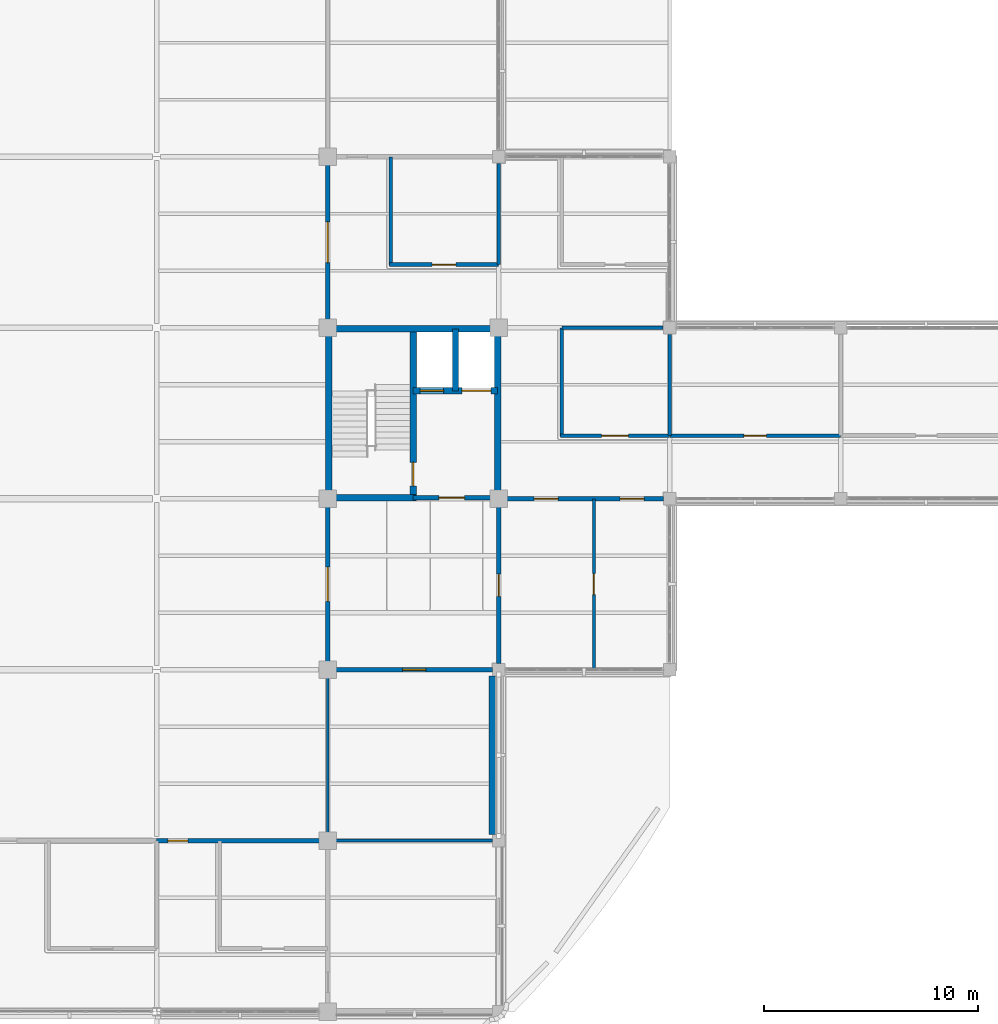
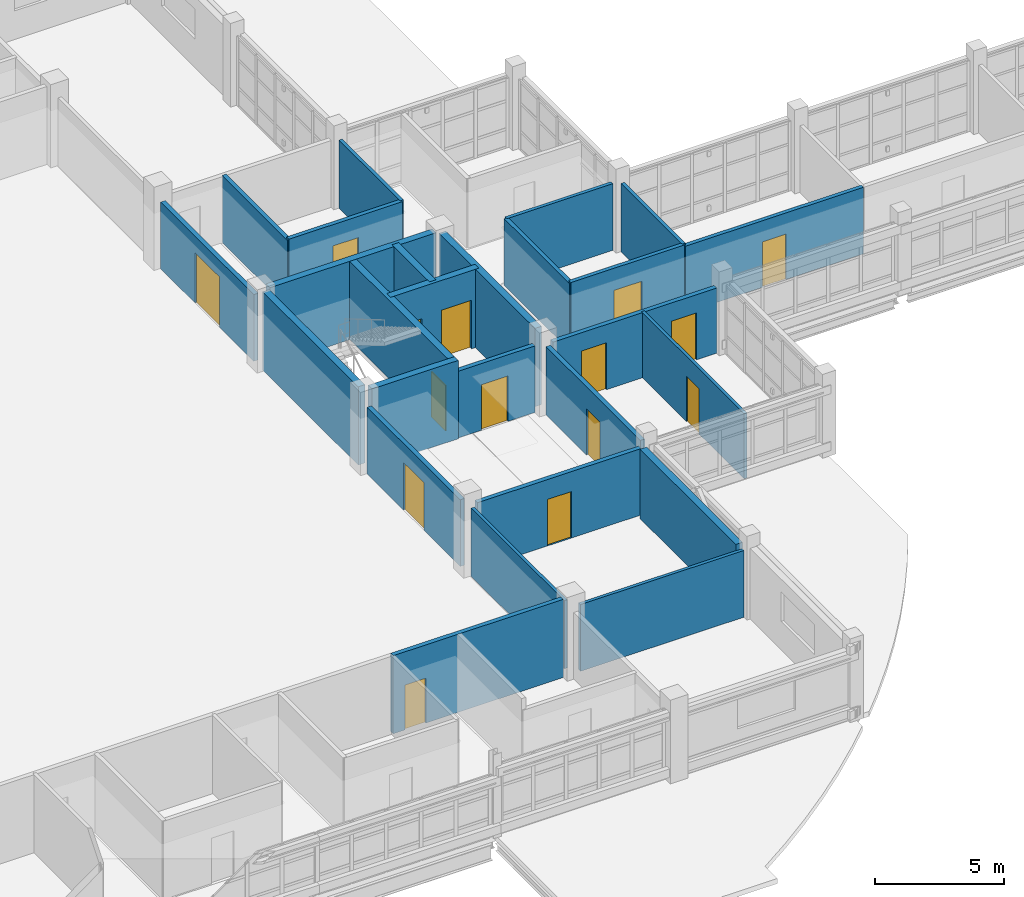
# One storey, part 92 of 126: 26 walls, 15 doors, 15 openings.
"""IFC4 building model written with IfcOpenShell, lengths in metres."""

from ifc_helpers import new_model, si_unit, derived_unit, direction, frame, frame_2d, origin, place, context, subcontext, project, spatial, rectangle, extrude, material, layer, layer_set, type_object, element, fill, save


model = new_model("IFC4")

# Units and contexts
model_context = context("Model", 3, precision=1e-05, world=origin(), true_north=direction((0.0, 1.0)))
body_context = subcontext(model_context, "Body", "Model", "MODEL_VIEW")
ifc_project = project(units=[si_unit("LENGTHUNIT", "METRE"), si_unit("AREAUNIT", "SQUARE_METRE"), si_unit("VOLUMEUNIT", "CUBIC_METRE"), si_unit("PLANEANGLEUNIT", "RADIAN"), si_unit("MASSUNIT", "GRAM", prefix="KILO"), derived_unit("THERMALTRANSMITTANCEUNIT", [(si_unit("MASSUNIT", "GRAM", prefix="KILO"), 1), (si_unit("TIMEUNIT", "SECOND"), -3), (si_unit("THERMODYNAMICTEMPERATUREUNIT", "KELVIN"), -1)])], contexts=[model_context])

# Site, building, storey
site_placement = place(None, origin())
site = spatial("IfcSite", under=ifc_project, at=site_placement, CompositionType="ELEMENT")
building_placement = place(site_placement, origin())
building = spatial("IfcBuilding", under=site, at=building_placement, Name="Veyamyaing Civic Hall", CompositionType="ELEMENT")
storey_placement = place(building_placement, frame((0.0, 0.0, 9.89990234375)))
storey = spatial("IfcBuildingStorey", under=building, at=storey_placement, Name="L02", CompositionType="ELEMENT", Elevation=9.89990234375)

# Walls
ifc_material_1 = material(Name="Precast concrete C40/50", Category="concrete")
ifc_layer_1 = layer(ifc_material_1, 0.304931640625, Name="Precast concrete C40/50")
ifc_layer_set_1 = layer_set([ifc_layer_1], Name="Precast concrete C40/50")
wall_type_1 = type_object("IfcWallType", Name="WT-03", PredefinedType="SOLIDWALL", material=ifc_layer_set_1)
wall_1_placement = place(storey_placement, frame((111.699951171875, 32.284912109375, 0.0), z_axis=(0.0, 0.0, 1.0), x_axis=(0.0, 1.0, 0.0)))
element("IfcWall", 1, at=wall_1_placement, inside=storey, type_object=wall_type_1, Name="Exterior facade wall WT-03 L02 E 14.5", PredefinedType="SOLIDWALL", context=body_context, shape_type="SweptSolid", body=[
    extrude(rectangle(XDim=7.43017578125, YDim=0.304931640625, at=frame_2d((3.715087890625, 0.0))), origin(), (0.0, 0.0, 1.0), 3.280029296875),
])
ifc_material_2 = material(Name="Concrete C40/50", Category="concrete")
ifc_layer_2 = layer(ifc_material_2, 0.300048828125, Name="Concrete C40/50")
ifc_layer_set_2 = layer_set([ifc_layer_2], Name="Concrete C40/50")
wall_type_2 = type_object("IfcWallType", Name="WT-05", PredefinedType="SHEAR", material=ifc_layer_set_2)
for number, where, z_axis, x_axis, name in (
    (2, (104.050048828125, 48.2900390625, 0.0), (0.0, 0.0, 1.0), (0.0, 1.0, 0.0), "Core shear wall WT-05 CORE-6 L02.W"),
    (3, (104.2900390625, 55.949951171875, 0.0), (0.0, 0.0, 1.0), (1.0, 0.0, 0.0), "Core shear wall WT-05 CORE-6 L02.N"),
    (4, (111.949951171875, 48.2900390625, 0.0), (0.0, 0.0, 1.0), (0.0, 1.0, 0.0), "Core shear wall WT-05 CORE-6 L02.E"),
):
    element("IfcWall", number, at=place(storey_placement, frame(where, z_axis=z_axis, x_axis=x_axis)), inside=storey, type_object=wall_type_2, Name=name, PredefinedType="SHEAR", context=body_context, shape_type="SweptSolid", body=[
        extrude(rectangle(XDim=7.419921875, YDim=0.300048828125, at=frame_2d((3.7099609375, 0.0))), origin(), (0.0, 0.0, 1.0), 3.705078125),
    ])
wall_2_placement = place(storey_placement, frame((104.2900390625, 48.050048828125, 0.0), z_axis=(0.0, 0.0, 1.0), x_axis=(1.0, 0.0, 0.0)))
element("IfcWall", 5, at=wall_2_placement, inside=storey, type_object=wall_type_2, Name="Core shear wall WT-05 CORE-6 L02.SS", PredefinedType="SHEAR", context=body_context, shape_type="SweptSolid", body=[
    extrude(rectangle(XDim=3.85986328125, YDim=0.300048828125, at=frame_2d((1.929931640625, 0.0))), origin(), (0.0, 0.0, 1.0), 3.705078125),
])

# Wall, opening, door
wall_3_placement = place(storey_placement, frame((108.0, 48.050048828125, 0.0), z_axis=(0.0, 0.0, 1.0), x_axis=(0.0, 1.0, 0.0)))
wall_3 = element("IfcWall", 6, at=wall_3_placement, inside=storey, type_object=wall_type_2, Name="Core shear wall WT-05 CORE-6 L02.MID", PredefinedType="SHEAR", context=body_context, shape_type="SweptSolid", body=[
    extrude(rectangle(XDim=7.89990234375, YDim=0.300048828125, at=frame_2d((3.949951171875, 0.0))), origin(), (0.0, 0.0, 1.0), 3.705078125),
])
opening_1_placement = place(wall_3_placement, frame((0.550048828125, 0.0, 0.0)))
opening_1 = element("IfcOpeningElement", 7, at=opening_1_placement, cuts=wall_3, Name="Opening D-03", PredefinedType="OPENING", context=body_context, shape_type="SweptSolid", body=[
    extrude(rectangle(XDim=1.10009765625, YDim=2.14990234375, at=frame_2d((0.550048828125, 1.074951171875))), frame((0.0, 0.159912109375, 0.0), z_axis=(0.0, -1.0, 0.0), x_axis=(1.0, 0.0, 0.0)), (0.0, 0.0, 1.0), 0.320068359375),
])
ifc_material_3 = material(Name="Galvanized steel S355J2", Category="steel")
door_type_1 = type_object("IfcDoorType", Name="D-03", OperationType="NOTDEFINED", PredefinedType="DOOR", material=ifc_material_3)
door_1_placement = place(opening_1_placement, origin())
door_1 = element("IfcDoor", 8, at=door_1_placement, inside=storey, type_object=door_type_1, Name="Exit stair fire door D-03 ST-06 L02", OperationType="SINGLE_SWING_LEFT", OverallHeight=2.14990234375, OverallWidth=1.10009765625, PredefinedType="DOOR", context=body_context, shape_type="SweptSolid", body=[
    extrude(rectangle(XDim=1.10009765625, YDim=2.14990234375, at=frame_2d((0.550048828125, 1.074951171875))), frame((0.0, 0.02490234375, 0.0), z_axis=(0.0, -1.0, 0.0), x_axis=(1.0, 0.0, 0.0)), (0.0, 0.0, 1.0), 0.050048828125),
])
fill(opening_1, door_1)

# Wall, openings, doors
wall_4_placement = place(storey_placement, frame((108.0, 53.050048828125, 0.0), z_axis=(0.0, 0.0, 1.0), x_axis=(1.0, 0.0, 0.0)))
wall_4 = element("IfcWall", 9, at=wall_4_placement, inside=storey, type_object=wall_type_2, Name="Core shear wall WT-05 CORE-6 L02.LFT", PredefinedType="SHEAR", context=body_context, shape_type="SweptSolid", body=[
    extrude(rectangle(XDim=3.949951171875, YDim=0.300048828125, at=frame_2d((1.97509765625, 0.0))), origin(), (0.0, 0.0, 1.0), 3.705078125),
])
opening_2_placement = place(wall_4_placement, frame((0.320068359375, 0.0, 0.0)))
opening_2 = element("IfcOpeningElement", 10, at=opening_2_placement, cuts=wall_4, Name="Opening LD-01", PredefinedType="OPENING", context=body_context, shape_type="SweptSolid", body=[
    extrude(rectangle(XDim=1.10009765625, YDim=2.199951171875, at=frame_2d((0.550048828125, 1.10009765625))), frame((0.0, 0.159912109375, 0.0), z_axis=(0.0, -1.0, 0.0), x_axis=(1.0, 0.0, 0.0)), (0.0, 0.0, 1.0), 0.320068359375),
])
opening_3_placement = place(wall_4_placement, frame((2.280029296875, 0.0, 0.0)))
opening_3 = element("IfcOpeningElement", 11, at=opening_3_placement, cuts=wall_4, Name="Opening LD-03", PredefinedType="OPENING", context=body_context, shape_type="SweptSolid", body=[
    extrude(rectangle(XDim=1.35009765625, YDim=2.300048828125, at=frame_2d((0.675048828125, 1.14990234375))), frame((0.0, 0.159912109375, 0.0), z_axis=(0.0, -1.0, 0.0), x_axis=(1.0, 0.0, 0.0)), (0.0, 0.0, 1.0), 0.320068359375),
])
ifc_material_4 = material(Name="Anodised aluminium 6063-T6", Category="aluminium")
door_type_2 = type_object("IfcDoorType", Name="LD-01", OperationType="SLIDING_TO_LEFT", PredefinedType="DOOR", material=ifc_material_4)
door_2_placement = place(opening_2_placement, origin())
door_2 = element("IfcDoor", 12, at=door_2_placement, inside=storey, type_object=door_type_2, Name="Lift sliding landing door LD-01 PL-04 L02", OperationType="SLIDING_TO_LEFT", OverallHeight=2.199951171875, OverallWidth=1.10009765625, PredefinedType="DOOR", context=body_context, shape_type="SweptSolid", body=[
    extrude(rectangle(XDim=1.10009765625, YDim=2.199951171875, at=frame_2d((0.550048828125, 1.10009765625))), frame((0.0, 0.02490234375, 0.0), z_axis=(0.0, -1.0, 0.0), x_axis=(1.0, 0.0, 0.0)), (0.0, 0.0, 1.0), 0.050048828125),
])
fill(opening_2, door_2)
door_type_3 = type_object("IfcDoorType", Name="LD-03", OperationType="DOUBLE_DOOR_SLIDING", PredefinedType="DOOR", material=ifc_material_3)
door_3_placement = place(opening_3_placement, origin())
door_3 = element("IfcDoor", 13, at=door_3_placement, inside=storey, type_object=door_type_3, Name="Lift sliding landing door LD-03 GL-02 L02", OperationType="DOUBLE_DOOR_SLIDING", OverallHeight=2.300048828125, OverallWidth=1.35009765625, PredefinedType="DOOR", context=body_context, shape_type="SweptSolid", body=[
    extrude(rectangle(XDim=1.35009765625, YDim=2.300048828125, at=frame_2d((0.675048828125, 1.14990234375))), frame((0.0, 0.02490234375, 0.0), z_axis=(0.0, -1.0, 0.0), x_axis=(1.0, 0.0, 0.0)), (0.0, 0.0, 1.0), 0.050048828125),
])
fill(opening_3, door_3)

# Wall
wall_5_placement = place(storey_placement, frame((109.97998046875, 53.050048828125, 0.0), z_axis=(0.0, 0.0, 1.0), x_axis=(0.0, 1.0, 0.0)))
element("IfcWall", 14, at=wall_5_placement, inside=storey, type_object=wall_type_2, Name="Core shear wall WT-05 CORE-6 L02.LDIV", PredefinedType="SHEAR", context=body_context, shape_type="SweptSolid", body=[
    extrude(rectangle(XDim=2.89990234375, YDim=0.300048828125, at=frame_2d((1.449951171875, 0.0))), origin(), (0.0, 0.0, 1.0), 3.705078125),
])

# Wall, opening, door
ifc_layer_3 = layer(ifc_material_2, 0.199951171875, Name="Concrete C40/50")
ifc_layer_set_3 = layer_set([ifc_layer_3], Name="Concrete C40/50")
wall_type_3 = type_object("IfcWallType", Name="WT-06", PredefinedType="PARTITIONING", material=ifc_layer_set_3)
wall_6_placement = place(storey_placement, frame((108.0, 48.050048828125, 0.0), z_axis=(0.0, 0.0, 1.0), x_axis=(1.0, 0.0, 0.0)))
wall_6 = element("IfcWall", 15, at=wall_6_placement, inside=storey, type_object=wall_type_3, Name="Firefighting lift lobby wall WT-06 CORE-6 L02", PredefinedType="PARTITIONING", context=body_context, shape_type="SweptSolid", body=[
    extrude(rectangle(XDim=3.610107421875, YDim=0.199951171875, at=frame_2d((1.80517578125, 0.0))), origin(), (0.0, 0.0, 1.0), 3.151123046875),
])
opening_4_placement = place(wall_6_placement, frame((1.205078125, 0.0, 0.0)))
opening_4 = element("IfcOpeningElement", 16, at=opening_4_placement, cuts=wall_6, Name="Opening D-04", PredefinedType="OPENING", context=body_context, shape_type="SweptSolid", body=[
    extrude(rectangle(XDim=1.199951171875, YDim=2.14990234375, at=frame_2d((0.60009765625, 1.074951171875))), frame((0.0, 0.10986328125, 0.0), z_axis=(0.0, -1.0, 0.0), x_axis=(1.0, 0.0, 0.0)), (0.0, 0.0, 1.0), 0.219970703125),
])
door_type_4 = type_object("IfcDoorType", Name="D-04", OperationType="NOTDEFINED", PredefinedType="DOOR", material=ifc_material_3)
door_4_placement = place(opening_4_placement, frame((1.199951171875, 0.0, 0.0), z_axis=(0.0, 0.0, 1.0), x_axis=(-1.0, 0.0, 0.0)))
door_4 = element("IfcDoor", 17, at=door_4_placement, inside=storey, type_object=door_type_4, Name="Protected lobby fire door D-04 CORE-6 L02", OperationType="SINGLE_SWING_RIGHT", OverallHeight=2.14990234375, OverallWidth=1.199951171875, PredefinedType="DOOR", context=body_context, shape_type="SweptSolid", body=[
    extrude(rectangle(XDim=1.199951171875, YDim=2.14990234375, at=frame_2d((0.60009765625, 1.074951171875))), frame((0.0, 0.02490234375, 0.0), z_axis=(0.0, -1.0, 0.0), x_axis=(1.0, 0.0, 0.0)), (0.0, 0.0, 1.0), 0.050048828125),
])
fill(opening_4, door_4)

wall_7_placement = place(storey_placement, frame((96.0, 32.0, 0.0), z_axis=(0.0, 0.0, 1.0), x_axis=(1.0, 0.0, 0.0)))
wall_7 = element("IfcWall", 18, at=wall_7_placement, inside=storey, type_object=wall_type_3, Name="Interior partition wall WT-06 L02.33", PredefinedType="PARTITIONING", context=body_context, shape_type="SweptSolid", body=[
    extrude(rectangle(XDim=7.610107421875, YDim=0.199951171875, at=frame_2d((3.80517578125, 0.0))), origin(), (0.0, 0.0, 1.0), 3.695068359375),
])
opening_5_placement = place(wall_7_placement, frame((0.52001953125, 0.0, 0.0)))
opening_5 = element("IfcOpeningElement", 19, at=opening_5_placement, cuts=wall_7, Name="Opening D-30", PredefinedType="OPENING", context=body_context, shape_type="SweptSolid", body=[
    extrude(rectangle(XDim=0.93994140625, YDim=2.1201171875, at=frame_2d((0.469970703125, 1.06005859375))), frame((0.0, 0.10986328125, 0.0), z_axis=(0.0, -1.0, 0.0), x_axis=(1.0, 0.0, 0.0)), (0.0, 0.0, 1.0), 0.219970703125),
])
ifc_material_5 = material(Name="Teak-veneered acoustic timber", Category="wood")
door_type_5 = type_object("IfcDoorType", Name="D-30", OperationType="NOTDEFINED", PredefinedType="DOOR", material=ifc_material_5)
door_5_placement = place(opening_5_placement, origin())
door_5 = element("IfcDoor", 20, at=door_5_placement, inside=storey, type_object=door_type_5, Name="Interior door D-30 L02.33", OperationType="SINGLE_SWING_RIGHT", OverallHeight=2.1201171875, OverallWidth=0.93994140625, PredefinedType="DOOR", context=body_context, shape_type="SweptSolid", body=[
    extrude(rectangle(XDim=0.93994140625, YDim=2.1201171875, at=frame_2d((0.469970703125, 1.06005859375))), frame((0.0, 0.02490234375, 0.0), z_axis=(0.0, -1.0, 0.0), x_axis=(1.0, 0.0, 0.0)), (0.0, 0.0, 1.0), 0.050048828125),
])
fill(opening_5, door_5)

wall_8_placement = place(storey_placement, frame((104.0, 40.389892578125, 0.0), z_axis=(0.0, 0.0, 1.0), x_axis=(0.0, 1.0, 0.0)))
wall_8 = element("IfcWall", 21, at=wall_8_placement, inside=storey, type_object=wall_type_3, Name="Interior partition wall WT-06 L02.35", PredefinedType="PARTITIONING", context=body_context, shape_type="SweptSolid", body=[
    extrude(rectangle(XDim=7.22021484375, YDim=0.199951171875, at=frame_2d((3.610107421875, 0.0))), origin(), (0.0, 0.0, 1.0), 3.151123046875),
])
opening_6_placement = place(wall_8_placement, frame((2.81005859375, 0.0, 0.0)))
opening_6 = element("IfcOpeningElement", 22, at=opening_6_placement, cuts=wall_8, Name="Opening D-09", PredefinedType="OPENING", context=body_context, shape_type="SweptSolid", body=[
    extrude(rectangle(XDim=1.60009765625, YDim=2.25, at=frame_2d((0.800048828125, 1.125))), frame((0.0, 0.10986328125, 0.0), z_axis=(0.0, -1.0, 0.0), x_axis=(1.0, 0.0, 0.0)), (0.0, 0.0, 1.0), 0.219970703125),
])
door_type_6 = type_object("IfcDoorType", Name="D-09", OperationType="DOUBLE_DOOR_SINGLE_SWING", PredefinedType="DOOR", material=ifc_material_5)
door_6_placement = place(opening_6_placement, origin())
door_6 = element("IfcDoor", 23, at=door_6_placement, inside=storey, type_object=door_type_6, Name="Interior door D-09 L02.35", OperationType="DOUBLE_DOOR_SINGLE_SWING", OverallHeight=2.25, OverallWidth=1.60009765625, PredefinedType="DOOR", context=body_context, shape_type="SweptSolid", body=[
    extrude(rectangle(XDim=1.60009765625, YDim=2.25, at=frame_2d((0.800048828125, 1.125))), frame((0.0, 0.02490234375, 0.0), z_axis=(0.0, -1.0, 0.0), x_axis=(1.0, 0.0, 0.0)), (0.0, 0.0, 1.0), 0.050048828125),
])
fill(opening_6, door_6)

wall_9_placement = place(storey_placement, frame((104.0, 56.389892578125, 0.0), z_axis=(0.0, 0.0, 1.0), x_axis=(0.0, 1.0, 0.0)))
wall_9 = element("IfcWall", 24, at=wall_9_placement, inside=storey, type_object=wall_type_3, Name="Interior partition wall WT-06 L02.36", PredefinedType="PARTITIONING", context=body_context, shape_type="SweptSolid", body=[
    extrude(rectangle(XDim=7.22021484375, YDim=0.199951171875, at=frame_2d((3.610107421875, 0.0))), origin(), (0.0, 0.0, 1.0), 3.156982421875),
])
opening_7_placement = place(wall_9_placement, frame((2.659912109375, 0.0, 0.0)))
opening_7 = element("IfcOpeningElement", 25, at=opening_7_placement, cuts=wall_9, Name="Opening D-31", PredefinedType="OPENING", context=body_context, shape_type="SweptSolid", body=[
    extrude(rectangle(XDim=1.89990234375, YDim=2.3798828125, at=frame_2d((0.949951171875, 1.18994140625))), frame((0.0, 0.10986328125, 0.0), z_axis=(0.0, -1.0, 0.0), x_axis=(1.0, 0.0, 0.0)), (0.0, 0.0, 1.0), 0.219970703125),
])
door_type_7 = type_object("IfcDoorType", Name="D-31", OperationType="DOUBLE_DOOR_SINGLE_SWING", PredefinedType="DOOR", material=ifc_material_5)
door_7_placement = place(opening_7_placement, origin())
door_7 = element("IfcDoor", 26, at=door_7_placement, inside=storey, type_object=door_type_7, Name="Interior door D-31 L02.36", OperationType="DOUBLE_DOOR_SINGLE_SWING", OverallHeight=2.3798828125, OverallWidth=1.89990234375, PredefinedType="DOOR", context=body_context, shape_type="SweptSolid", body=[
    extrude(rectangle(XDim=1.89990234375, YDim=2.3798828125, at=frame_2d((0.949951171875, 1.18994140625))), frame((0.0, 0.02490234375, 0.0), z_axis=(0.0, -1.0, 0.0), x_axis=(1.0, 0.0, 0.0)), (0.0, 0.0, 1.0), 0.050048828125),
])
fill(opening_7, door_7)

wall_10_placement = place(storey_placement, frame((104.389892578125, 40.0, 0.0), z_axis=(0.0, 0.0, 1.0), x_axis=(1.0, 0.0, 0.0)))
wall_10 = element("IfcWall", 27, at=wall_10_placement, inside=storey, type_object=wall_type_3, Name="Interior partition wall WT-06 L02.41", PredefinedType="PARTITIONING", context=body_context, shape_type="SweptSolid", body=[
    extrude(rectangle(XDim=7.320068359375, YDim=0.199951171875, at=frame_2d((3.66015625, 0.0))), origin(), (0.0, 0.0, 1.0), 3.14111328125),
])
opening_8_placement = place(wall_10_placement, frame((3.1201171875, 0.0, 0.0)))
opening_8 = element("IfcOpeningElement", 28, at=opening_8_placement, cuts=wall_10, Name="Opening D-23", PredefinedType="OPENING", context=body_context, shape_type="SweptSolid", body=[
    extrude(rectangle(XDim=1.080078125, YDim=2.199951171875, at=frame_2d((0.5400390625, 1.10009765625))), frame((0.0, 0.10986328125, 0.0), z_axis=(0.0, -1.0, 0.0), x_axis=(1.0, 0.0, 0.0)), (0.0, 0.0, 1.0), 0.219970703125),
])
door_type_8 = type_object("IfcDoorType", Name="D-23", OperationType="NOTDEFINED", PredefinedType="DOOR", material=ifc_material_5)
door_8_placement = place(opening_8_placement, frame((1.080078125, 0.0, 0.0), z_axis=(0.0, 0.0, 1.0), x_axis=(-1.0, 0.0, 0.0)))
door_8 = element("IfcDoor", 29, at=door_8_placement, inside=storey, type_object=door_type_8, Name="Interior door D-23 L02.41", OperationType="SINGLE_SWING_RIGHT", OverallHeight=2.199951171875, OverallWidth=1.080078125, PredefinedType="DOOR", context=body_context, shape_type="SweptSolid", body=[
    extrude(rectangle(XDim=1.080078125, YDim=2.199951171875, at=frame_2d((0.5400390625, 1.10009765625))), frame((0.0, 0.02490234375, 0.0), z_axis=(0.0, -1.0, 0.0), x_axis=(1.0, 0.0, 0.0)), (0.0, 0.0, 1.0), 0.050048828125),
])
fill(opening_8, door_8)

wall_11_placement = place(storey_placement, frame((112.0, 40.2900390625, 0.0), z_axis=(0.0, 0.0, 1.0), x_axis=(0.0, 1.0, 0.0)))
wall_11 = element("IfcWall", 30, at=wall_11_placement, inside=storey, type_object=wall_type_3, Name="Interior partition wall WT-06 L02.42", PredefinedType="PARTITIONING", context=body_context, shape_type="SweptSolid", body=[
    extrude(rectangle(XDim=7.320068359375, YDim=0.199951171875, at=frame_2d((3.66015625, 0.0))), origin(), (0.0, 0.0, 1.0), 3.22119140625),
])
opening_9_placement = place(wall_11_placement, frame((3.139892578125, 0.0, 0.0)))
opening_9 = element("IfcOpeningElement", 31, at=opening_9_placement, cuts=wall_11, Name="Opening D-24", PredefinedType="OPENING", context=body_context, shape_type="SweptSolid", body=[
    extrude(rectangle(XDim=1.0400390625, YDim=2.179931640625, at=frame_2d((0.52001953125, 1.08984375))), frame((0.0, 0.10986328125, 0.0), z_axis=(0.0, -1.0, 0.0), x_axis=(1.0, 0.0, 0.0)), (0.0, 0.0, 1.0), 0.219970703125),
])
door_type_9 = type_object("IfcDoorType", Name="D-24", OperationType="NOTDEFINED", PredefinedType="DOOR", material=ifc_material_5)
door_9_placement = place(opening_9_placement, frame((1.0400390625, 0.0, 0.0), z_axis=(0.0, 0.0, 1.0), x_axis=(-1.0, 0.0, 0.0)))
door_9 = element("IfcDoor", 32, at=door_9_placement, inside=storey, type_object=door_type_9, Name="Interior door D-24 L02.42", OperationType="SINGLE_SWING_LEFT", OverallHeight=2.179931640625, OverallWidth=1.0400390625, PredefinedType="DOOR", context=body_context, shape_type="SweptSolid", body=[
    extrude(rectangle(XDim=1.0400390625, YDim=2.179931640625, at=frame_2d((0.52001953125, 1.08984375))), frame((0.0, 0.02490234375, 0.0), z_axis=(0.0, -1.0, 0.0), x_axis=(1.0, 0.0, 0.0)), (0.0, 0.0, 1.0), 0.050048828125),
])
fill(opening_9, door_9)

# Wall, openings, doors
wall_12_placement = place(storey_placement, frame((112.389892578125, 48.0, 0.0), z_axis=(0.0, 0.0, 1.0), x_axis=(1.0, 0.0, 0.0)))
wall_12 = element("IfcWall", 33, at=wall_12_placement, inside=storey, type_object=wall_type_3, Name="Interior partition wall WT-06 L02.44", PredefinedType="PARTITIONING", context=body_context, shape_type="SweptSolid", body=[
    extrude(rectangle(XDim=7.320068359375, YDim=0.199951171875, at=frame_2d((3.66015625, 0.0))), origin(), (0.0, 0.0, 1.0), 3.08203125),
])
opening_10_placement = place(wall_12_placement, frame((1.27001953125, 0.0, 0.0)))
opening_10 = element("IfcOpeningElement", 34, at=opening_10_placement, cuts=wall_12, Name="Opening D-26", PredefinedType="OPENING", context=body_context, shape_type="SweptSolid", body=[
    extrude(rectangle(XDim=1.1201171875, YDim=2.219970703125, at=frame_2d((0.56005859375, 1.10986328125))), frame((0.0, 0.10986328125, 0.0), z_axis=(0.0, -1.0, 0.0), x_axis=(1.0, 0.0, 0.0)), (0.0, 0.0, 1.0), 0.219970703125),
])
opening_11_placement = place(wall_12_placement, frame((5.2958984375, 0.0, 0.0)))
opening_11 = element("IfcOpeningElement", 35, at=opening_11_placement, cuts=wall_12, Name="Opening D-26", PredefinedType="OPENING", context=body_context, shape_type="SweptSolid", body=[
    extrude(rectangle(XDim=1.1201171875, YDim=2.219970703125, at=frame_2d((0.56005859375, 1.10986328125))), frame((0.0, 0.10986328125, 0.0), z_axis=(0.0, -1.0, 0.0), x_axis=(1.0, 0.0, 0.0)), (0.0, 0.0, 1.0), 0.219970703125),
])
door_type_10 = type_object("IfcDoorType", Name="D-26", OperationType="NOTDEFINED", PredefinedType="DOOR", material=ifc_material_5)
door_10_placement = place(opening_10_placement, frame((1.1201171875, 0.0, 0.0), z_axis=(0.0, 0.0, 1.0), x_axis=(-1.0, 0.0, 0.0)))
door_10 = element("IfcDoor", 36, at=door_10_placement, inside=storey, type_object=door_type_10, Name="Interior room door D-26 L02.44.1", OperationType="SINGLE_SWING_LEFT", OverallHeight=2.219970703125, OverallWidth=1.1201171875, PredefinedType="DOOR", context=body_context, shape_type="SweptSolid", body=[
    extrude(rectangle(XDim=1.1201171875, YDim=2.219970703125, at=frame_2d((0.56005859375, 1.10986328125))), frame((0.0, 0.02490234375, 0.0), z_axis=(0.0, -1.0, 0.0), x_axis=(1.0, 0.0, 0.0)), (0.0, 0.0, 1.0), 0.050048828125),
])
fill(opening_10, door_10)
door_11_placement = place(opening_11_placement, frame((1.1201171875, 0.0, 0.0), z_axis=(0.0, 0.0, 1.0), x_axis=(-1.0, 0.0, 0.0)))
door_11 = element("IfcDoor", 37, at=door_11_placement, inside=storey, type_object=door_type_10, Name="Interior room door D-26 L02.44.2", OperationType="SINGLE_SWING_RIGHT", OverallHeight=2.219970703125, OverallWidth=1.1201171875, PredefinedType="DOOR", context=body_context, shape_type="SweptSolid", body=[
    extrude(rectangle(XDim=1.1201171875, YDim=2.219970703125, at=frame_2d((0.56005859375, 1.10986328125))), frame((0.0, 0.02490234375, 0.0), z_axis=(0.0, -1.0, 0.0), x_axis=(1.0, 0.0, 0.0)), (0.0, 0.0, 1.0), 0.050048828125),
])
fill(opening_11, door_11)

# Wall, opening, door
ifc_material_6 = material(Name="Gypsum board on acoustic steel stud", Category="steel")
ifc_layer_4 = layer(ifc_material_6, 0.175048828125, Name="Gypsum board on acoustic steel stud")
ifc_layer_set_4 = layer_set([ifc_layer_4], Name="Gypsum board on acoustic steel stud")
wall_type_4 = type_object("IfcWallType", Name="WT-07", PredefinedType="PARTITIONING", material=ifc_layer_set_4)
wall_13_placement = place(storey_placement, frame((114.89990234375, 50.949951171875, 0.0), z_axis=(0.0, 0.0, 1.0), x_axis=(1.0, 0.0, 0.0)))
wall_13 = element("IfcWall", 38, at=wall_13_placement, inside=storey, type_object=wall_type_4, Name="Corridor gallery partition WT-07 L02.45.1", PredefinedType="PARTITIONING", context=body_context, shape_type="SweptSolid", body=[
    extrude(rectangle(XDim=5.080078125, YDim=0.175048828125, at=frame_2d((2.5400390625, 0.0))), origin(), (0.0, 0.0, 1.0), 3.22705078125),
])
opening_12_placement = place(wall_13_placement, frame((1.9150390625, 0.0, 0.0)))
opening_12 = element("IfcOpeningElement", 39, at=opening_12_placement, cuts=wall_13, Name="Opening D-29", PredefinedType="OPENING", context=body_context, shape_type="SweptSolid", body=[
    extrude(rectangle(XDim=1.25, YDim=2.179931640625, at=frame_2d((0.625, 1.08984375))), frame((0.0, 0.097412109375, 0.0), z_axis=(0.0, -1.0, 0.0), x_axis=(1.0, 0.0, 0.0)), (0.0, 0.0, 1.0), 0.195068359375),
])
door_type_11 = type_object("IfcDoorType", Name="D-29", OperationType="NOTDEFINED", PredefinedType="DOOR", material=ifc_material_5)
door_12_placement = place(opening_12_placement, origin())
door_12 = element("IfcDoor", 40, at=door_12_placement, inside=storey, type_object=door_type_11, Name="Gallery office door D-29 L02.45", OperationType="SINGLE_SWING_LEFT", OverallHeight=2.179931640625, OverallWidth=1.25, PredefinedType="DOOR", context=body_context, shape_type="SweptSolid", body=[
    extrude(rectangle(XDim=1.25, YDim=2.179931640625, at=frame_2d((0.625, 1.08984375))), frame((0.0, 0.02490234375, 0.0), z_axis=(0.0, -1.0, 0.0), x_axis=(1.0, 0.0, 0.0)), (0.0, 0.0, 1.0), 0.050048828125),
])
fill(opening_12, door_12)

# Wall
wall_14_placement = place(storey_placement, frame((114.949951171875, 50.89990234375, 0.0), z_axis=(0.0, 0.0, 1.0), x_axis=(0.0, 1.0, 0.0)))
element("IfcWall", 41, at=wall_14_placement, inside=storey, type_object=wall_type_4, Name="Corridor gallery partition WT-07 L02.45.2", PredefinedType="PARTITIONING", context=body_context, shape_type="SweptSolid", body=[
    extrude(rectangle(XDim=5.080078125, YDim=0.175048828125, at=frame_2d((2.5400390625, 0.0))), origin(), (0.0, 0.0, 1.0), 3.156982421875),
])

# Wall, opening, door
wall_15_placement = place(storey_placement, frame((120.02001953125, 50.949951171875, 0.0), z_axis=(0.0, 0.0, 1.0), x_axis=(1.0, 0.0, 0.0)))
wall_15 = element("IfcWall", 42, at=wall_15_placement, inside=storey, type_object=wall_type_4, Name="Corridor gallery partition WT-07 L02.47.1", PredefinedType="PARTITIONING", context=body_context, shape_type="SweptSolid", body=[
    extrude(rectangle(XDim=7.9599609375, YDim=0.175048828125, at=frame_2d((3.97998046875, 0.0))), origin(), (0.0, 0.0, 1.0), 3.151123046875),
])
opening_13_placement = place(wall_15_placement, frame((3.455078125, 0.0, 0.0)))
opening_13 = element("IfcOpeningElement", 43, at=opening_13_placement, cuts=wall_15, Name="Opening D-12", PredefinedType="OPENING", context=body_context, shape_type="SweptSolid", body=[
    extrude(rectangle(XDim=1.050048828125, YDim=2.14990234375, at=frame_2d((0.52490234375, 1.074951171875))), frame((0.0, 0.097412109375, 0.0), z_axis=(0.0, -1.0, 0.0), x_axis=(1.0, 0.0, 0.0)), (0.0, 0.0, 1.0), 0.195068359375),
])
door_type_12 = type_object("IfcDoorType", Name="D-12", OperationType="NOTDEFINED", PredefinedType="DOOR", material=ifc_material_5)
door_13_placement = place(opening_13_placement, origin())
door_13 = element("IfcDoor", 44, at=door_13_placement, inside=storey, type_object=door_type_12, Name="Gallery office door D-12 L02.47", OperationType="SINGLE_SWING_LEFT", OverallHeight=2.14990234375, OverallWidth=1.050048828125, PredefinedType="DOOR", context=body_context, shape_type="SweptSolid", body=[
    extrude(rectangle(XDim=1.050048828125, YDim=2.14990234375, at=frame_2d((0.52490234375, 1.074951171875))), frame((0.0, 0.02490234375, 0.0), z_axis=(0.0, -1.0, 0.0), x_axis=(1.0, 0.0, 0.0)), (0.0, 0.0, 1.0), 0.050048828125),
])
fill(opening_13, door_13)

# Walls
ifc_material_7 = material(Name="Gypsum board on steel stud", Category="steel")
ifc_layer_5 = layer(ifc_material_7, 0.14990234375, Name="Gypsum board on steel stud")
ifc_layer_set_5 = layer_set([ifc_layer_5], Name="Gypsum board on steel stud")
wall_type_5 = type_object("IfcWallType", Name="WT-08", PredefinedType="PARTITIONING", material=ifc_layer_set_5)
wall_16_placement = place(storey_placement, frame((112.0, 58.949951171875, 0.0), z_axis=(0.0, 0.0, 1.0), x_axis=(0.0, 1.0, 0.0)))
element("IfcWall", 45, at=wall_16_placement, inside=storey, type_object=wall_type_5, Name="Gallery office end partition WT-08 L02.44.2", PredefinedType="PARTITIONING", context=body_context, shape_type="SweptSolid", body=[
    extrude(rectangle(XDim=4.739990234375, YDim=0.14990234375, at=frame_2d((2.3701171875, 0.0))), origin(), (0.0, 0.0, 1.0), 3.22705078125),
])
wall_17_placement = place(storey_placement, frame((114.949951171875, 56.0, 0.0), z_axis=(0.0, 0.0, 1.0), x_axis=(1.0, 0.0, 0.0)))
element("IfcWall", 46, at=wall_17_placement, inside=storey, type_object=wall_type_5, Name="Gallery office end partition WT-08 L02.45.1", PredefinedType="PARTITIONING", context=body_context, shape_type="SweptSolid", body=[
    extrude(rectangle(XDim=4.739990234375, YDim=0.14990234375, at=frame_2d((2.3701171875, 0.0))), origin(), (0.0, 0.0, 1.0), 3.156982421875),
])
wall_18_placement = place(storey_placement, frame((120.0, 50.949951171875, 0.0), z_axis=(0.0, 0.0, 1.0), x_axis=(0.0, 1.0, 0.0)))
element("IfcWall", 47, at=wall_18_placement, inside=storey, type_object=wall_type_5, Name="Gallery office end partition WT-08 L02.45.2", PredefinedType="PARTITIONING", context=body_context, shape_type="SweptSolid", body=[
    extrude(rectangle(XDim=4.739990234375, YDim=0.14990234375, at=frame_2d((2.3701171875, 0.0))), origin(), (0.0, 0.0, 1.0), 3.22705078125),
])
ifc_layer_6 = layer(ifc_material_7, 0.135009765625, Name="Gypsum board on steel stud")
ifc_layer_set_6 = layer_set([ifc_layer_6], Name="Gypsum board on steel stud")
wall_type_6 = type_object("IfcWallType", Name="WT-15", PredefinedType="PARTITIONING", material=ifc_layer_set_6)
wall_19_placement = place(storey_placement, frame((104.0, 32.389892578125, 0.0), z_axis=(0.0, 0.0, 1.0), x_axis=(0.0, 1.0, 0.0)))
element("IfcWall", 48, at=wall_19_placement, inside=storey, type_object=wall_type_6, Name="Interior partition wall WT-15 L02.34", PredefinedType="PARTITIONING", context=body_context, shape_type="SweptSolid", body=[
    extrude(rectangle(XDim=7.22021484375, YDim=0.135009765625, at=frame_2d((3.610107421875, 0.0))), origin(), (0.0, 0.0, 1.0), 3.22705078125),
])

# Wall, opening, door
wall_20_placement = place(storey_placement, frame((116.449951171875, 40.02001953125, 0.0), z_axis=(0.0, 0.0, 1.0), x_axis=(0.0, 1.0, 0.0)))
wall_20 = element("IfcWall", 49, at=wall_20_placement, inside=storey, type_object=wall_type_6, Name="Sub-bay room partition WT-15 L02.2", PredefinedType="PARTITIONING", context=body_context, shape_type="SweptSolid", body=[
    extrude(rectangle(XDim=7.9599609375, YDim=0.135009765625, at=frame_2d((3.97998046875, 0.0))), origin(), (0.0, 0.0, 1.0), 3.08203125),
])
opening_14_placement = place(wall_20_placement, frame((3.489990234375, 0.0, 0.0)))
opening_14 = element("IfcOpeningElement", 50, at=opening_14_placement, cuts=wall_20, Name="Opening D-14", PredefinedType="OPENING", context=body_context, shape_type="SweptSolid", body=[
    extrude(rectangle(XDim=0.97998046875, YDim=2.14990234375, at=frame_2d((0.489990234375, 1.074951171875))), frame((0.0, 0.077392578125, 0.0), z_axis=(0.0, -1.0, 0.0), x_axis=(1.0, 0.0, 0.0)), (0.0, 0.0, 1.0), 0.155029296875),
])
door_type_13 = type_object("IfcDoorType", Name="D-14", OperationType="NOTDEFINED", PredefinedType="DOOR", material=ifc_material_5)
door_14_placement = place(opening_14_placement, origin())
door_14 = element("IfcDoor", 51, at=door_14_placement, inside=storey, type_object=door_type_13, Name="Suite connecting door D-14 L02.2", OperationType="SINGLE_SWING_LEFT", OverallHeight=2.14990234375, OverallWidth=0.97998046875, PredefinedType="DOOR", context=body_context, shape_type="SweptSolid", body=[
    extrude(rectangle(XDim=0.97998046875, YDim=2.14990234375, at=frame_2d((0.489990234375, 1.074951171875))), frame((0.0, 0.02490234375, 0.0), z_axis=(0.0, -1.0, 0.0), x_axis=(1.0, 0.0, 0.0)), (0.0, 0.0, 1.0), 0.050048828125),
])
fill(opening_14, door_14)

ifc_material_8 = material(Name="Gypsum board on double acoustic stud")
ifc_layer_7 = layer(ifc_material_8, 0.18505859375, Name="Gypsum board on double acoustic stud")
ifc_layer_set_7 = layer_set([ifc_layer_7], Name="Gypsum board on double acoustic stud")
wall_type_7 = type_object("IfcWallType", Name="WT-19", PredefinedType="PARTITIONING", material=ifc_layer_set_7)
wall_21_placement = place(storey_placement, frame((106.89990234375, 58.949951171875, 0.0), z_axis=(0.0, 0.0, 1.0), x_axis=(1.0, 0.0, 0.0)))
wall_21 = element("IfcWall", 52, at=wall_21_placement, inside=storey, type_object=wall_type_7, Name="Corridor gallery partition WT-19 L02.44.1", PredefinedType="PARTITIONING", context=body_context, shape_type="SweptSolid", body=[
    extrude(rectangle(XDim=5.080078125, YDim=0.18505859375, at=frame_2d((2.5400390625, 0.0))), origin(), (0.0, 0.0, 1.0), 3.22705078125),
])
opening_15_placement = place(wall_21_placement, frame((1.97998046875, 0.0, 0.0)))
opening_15 = element("IfcOpeningElement", 53, at=opening_15_placement, cuts=wall_21, Name="Opening D-26", PredefinedType="OPENING", context=body_context, shape_type="SweptSolid", body=[
    extrude(rectangle(XDim=1.1201171875, YDim=2.219970703125, at=frame_2d((0.56005859375, 1.10986328125))), frame((0.0, 0.1025390625, 0.0), z_axis=(0.0, -1.0, 0.0), x_axis=(1.0, 0.0, 0.0)), (0.0, 0.0, 1.0), 0.205078125),
])
door_15_placement = place(opening_15_placement, origin())
door_15 = element("IfcDoor", 54, at=door_15_placement, inside=storey, type_object=door_type_10, Name="Gallery office door D-26 L02.44", OperationType="SINGLE_SWING_RIGHT", OverallHeight=2.219970703125, OverallWidth=1.1201171875, PredefinedType="DOOR", context=body_context, shape_type="SweptSolid", body=[
    extrude(rectangle(XDim=1.1201171875, YDim=2.219970703125, at=frame_2d((0.56005859375, 1.10986328125))), frame((0.0, 0.02490234375, 0.0), z_axis=(0.0, -1.0, 0.0), x_axis=(1.0, 0.0, 0.0)), (0.0, 0.0, 1.0), 0.050048828125),
])
fill(opening_15, door_15)

# Walls
wall_22_placement = place(storey_placement, frame((106.949951171875, 58.89990234375, 0.0), z_axis=(0.0, 0.0, 1.0), x_axis=(0.0, 1.0, 0.0)))
element("IfcWall", 55, at=wall_22_placement, inside=storey, type_object=wall_type_7, Name="Corridor gallery partition WT-19 L02.44.2", PredefinedType="PARTITIONING", context=body_context, shape_type="SweptSolid", body=[
    extrude(rectangle(XDim=5.080078125, YDim=0.18505859375, at=frame_2d((2.5400390625, 0.0))), origin(), (0.0, 0.0, 1.0), 3.156982421875),
])
ifc_layer_8 = layer(ifc_material_7, 0.14208984375, Name="Gypsum board on steel stud")
ifc_layer_set_8 = layer_set([ifc_layer_8], Name="Gypsum board on steel stud")
wall_type_8 = type_object("IfcWallType", Name="WT-20", PredefinedType="PARTITIONING", material=ifc_layer_set_8)
wall_23_placement = place(storey_placement, frame((104.389892578125, 32.0, 0.0), z_axis=(0.0, 0.0, 1.0), x_axis=(1.0, 0.0, 0.0)))
element("IfcWall", 56, at=wall_23_placement, inside=storey, type_object=wall_type_8, Name="Interior partition wall WT-20 L02.40", PredefinedType="PARTITIONING", context=body_context, shape_type="SweptSolid", body=[
    extrude(rectangle(XDim=7.320068359375, YDim=0.14208984375, at=frame_2d((3.66015625, 0.0))), origin(), (0.0, 0.0, 1.0), 3.156982421875),
])

save(model, "model.ifc")
